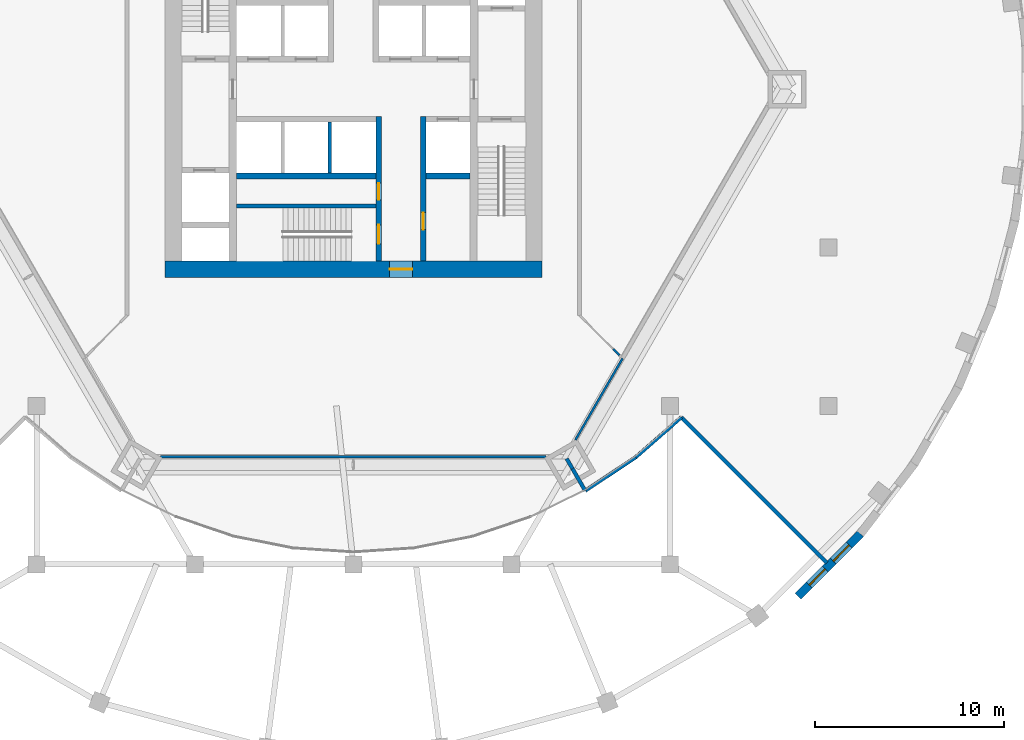
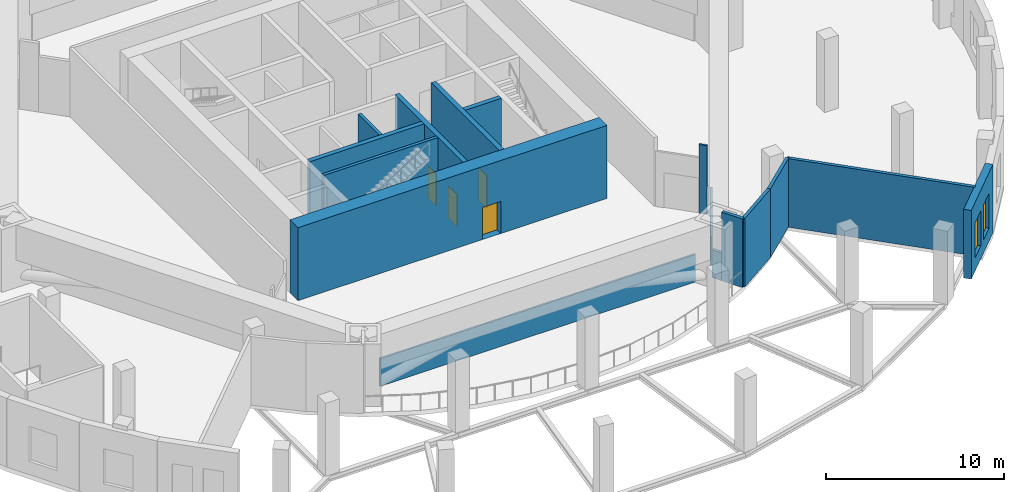
# One storey, part 4 of 10: 16 walls, 4 doors, 2 windows, 6 openings.
"""IFC4 building model written with IfcOpenShell, lengths in metres."""

from ifc_helpers import new_model, si_unit, direction, frame, frame_2d, origin, place, context, subcontext, project, spatial, rectangle, extrude, material, layer, layer_set, type_object, element, fill, save


model = new_model("IFC4")

# Units and contexts
model_context = context("Model", 3, precision=1e-05, world=origin(), true_north=direction((0.0, 1.0)))
body_context = subcontext(model_context, "Body", "Model", "MODEL_VIEW")
ifc_project = project(units=[si_unit("LENGTHUNIT", "METRE"), si_unit("AREAUNIT", "SQUARE_METRE"), si_unit("VOLUMEUNIT", "CUBIC_METRE"), si_unit("PLANEANGLEUNIT", "RADIAN"), si_unit("MASSUNIT", "GRAM", prefix="KILO")], contexts=[model_context])

# Site, building, storey
site_placement = place(None, origin())
site = spatial("IfcSite", under=ifc_project, at=site_placement, CompositionType="ELEMENT")
building_placement = place(site_placement, origin())
building = spatial("IfcBuilding", under=site, at=building_placement, Name="Golbaran Civic Tower", CompositionType="ELEMENT")
storey_placement = place(building_placement, frame((0.0, 0.0, 16.0)))
storey = spatial("IfcBuildingStorey", under=building, at=storey_placement, Name="L03", CompositionType="ELEMENT", Elevation=16.0)

# Wall, opening, door
ifc_material_1 = material(Name="Concrete C50/60", Category="concrete")
ifc_layer_1 = layer(ifc_material_1, 0.89990234375, Name="Concrete C50/60")
ifc_layer_set_1 = layer_set([ifc_layer_1], Name="Concrete C50/60")
wall_type_1 = type_object("IfcWallType", Name="CORE WALL CONCRETE 900", PredefinedType="SOLIDWALL", material=ifc_layer_set_1)
wall_1_placement = place(storey_placement, frame((10.0, -9.550048828125, 0.0), z_axis=(0.0, 0.0, 1.0), x_axis=(-1.0, 0.0, 0.0)))
wall_1 = element("IfcWall", 1, at=wall_1_placement, inside=storey, type_object=wall_type_1, Name="Core wall CS L03", PredefinedType="SOLIDWALL", context=body_context, shape_type="SweptSolid", body=[
    extrude(rectangle(XDim=20.0, YDim=0.89990234375, at=frame_2d((10.0, 0.0))), origin(), (0.0, 0.0, 1.0), 5.0),
])
opening_1_placement = place(wall_1_placement, frame((6.875, 0.0, 0.0)))
opening_1 = element("IfcOpeningElement", 2, at=opening_1_placement, cuts=wall_1, Name="Opening L03.CS", PredefinedType="OPENING", context=body_context, shape_type="SweptSolid", body=[
    extrude(rectangle(XDim=1.199951171875, YDim=2.199951171875, at=frame_2d((0.60009765625, 1.10009765625))), frame((0.0, 0.4599609375, 0.0), z_axis=(0.0, -1.0, 0.0), x_axis=(1.0, 0.0, 0.0)), (0.0, 0.0, 1.0), 0.919921875),
])
ifc_material_2 = material(Name="Timber door set in steel frame", Category="steel")
door_type_1 = type_object("IfcDoorType", Name="CORE DOOR 1200x2200", OperationType="DOUBLE_DOOR_SINGLE_SWING", PredefinedType="DOOR", material=ifc_material_2)
door_1_placement = place(opening_1_placement, origin())
door_1 = element("IfcDoor", 3, at=door_1_placement, inside=storey, type_object=door_type_1, Name="Core door south", OperationType="DOUBLE_DOOR_SINGLE_SWING", OverallHeight=2.199951171875, OverallWidth=1.199951171875, PredefinedType="DOOR", context=body_context, shape_type="SweptSolid", body=[
    extrude(rectangle(XDim=1.199951171875, YDim=2.199951171875, at=frame_2d((0.60009765625, 1.10009765625))), frame((0.0, 0.02490234375, 0.0), z_axis=(0.0, -1.0, 0.0), x_axis=(1.0, 0.0, 0.0)), (0.0, 0.0, 1.0), 0.050048828125),
])
fill(opening_1, door_1)

# Walls
ifc_material_3 = material(Name="Glazed screen on steel framing", Category="steel")
ifc_layer_2 = layer(ifc_material_3, 0.1201171875, Name="Glazed screen on steel framing")
ifc_layer_set_2 = layer_set([ifc_layer_2], Name="Glazed screen on steel framing")
wall_type_2 = type_object("IfcWallType", Name="GLAZED SCREEN PARTITION 120", PredefinedType="PARTITIONING", material=ifc_layer_set_2)
wall_2_placement = place(storey_placement, frame((-10.22509765625, -19.5, 0.0), z_axis=(0.0, 0.0, 1.0), x_axis=(1.0, 0.0, 0.0)))
element("IfcWall", 4, at=wall_2_placement, inside=storey, type_object=wall_type_2, Name="Podium partition L03 under the transfer girder", PredefinedType="PARTITIONING", context=body_context, shape_type="SweptSolid", body=[
    extrude(rectangle(XDim=20.4501953125, YDim=0.1201171875, at=frame_2d((10.22509765625, 0.0))), origin(), (0.0, 0.0, 1.0), 1.889892578125),
])
wall_3_placement = place(storey_placement, frame((11.779052734375, -18.602783203125, 0.0), z_axis=(0.0, 0.0, 1.0), x_axis=(0.500785735381, 0.865571283742, 0.0)))
element("IfcWall", 5, at=wall_3_placement, inside=storey, type_object=wall_type_2, Name="Podium partition L03 under the transfer girder", PredefinedType="PARTITIONING", context=body_context, shape_type="SweptSolid", body=[
    extrude(rectangle(XDim=4.994140625, YDim=0.1201171875, at=frame_2d((2.4970703125, 0.0))), origin(), (0.0, 0.0, 1.0), 1.889892578125),
])
wall_4_placement = place(storey_placement, frame((13.78125, -13.78125, 0.0), z_axis=(0.0, 0.0, 1.0), x_axis=(0.707106781187, -0.707106781187, 0.0)))
element("IfcWall", 6, at=wall_4_placement, inside=storey, type_object=wall_type_2, Name="Podium partition L03 (part 2)", PredefinedType="PARTITIONING", context=body_context, shape_type="SweptSolid", body=[
    extrude(rectangle(XDim=0.479248046875, YDim=0.1201171875, at=frame_2d((0.23974609375, 0.0))), origin(), (0.0, 0.0, 1.0), 4.699951171875),
])
ifc_material_4 = material(Name="Concrete block", Category="concrete")
ifc_layer_3 = layer(ifc_material_4, 0.199951171875, Name="Concrete block")
ifc_layer_set_3 = layer_set([ifc_layer_3], Name="Concrete block")
wall_type_3 = type_object("IfcWallType", Name="LIFT SEPARATOR WALL 200", PredefinedType="SOLIDWALL", material=ifc_layer_set_3)
wall_5_placement = place(storey_placement, frame((-1.25, -1.75, 0.0), z_axis=(0.0, 0.0, 1.0), x_axis=(0.0, -1.0, 0.0)))
element("IfcWall", 7, at=wall_5_placement, inside=storey, type_object=wall_type_3, Name="Core partition SSM L03", PredefinedType="SOLIDWALL", context=body_context, shape_type="SweptSolid", body=[
    extrude(rectangle(XDim=2.699951171875, YDim=0.199951171875, at=frame_2d((1.35009765625, 0.0))), origin(), (0.0, 0.0, 1.0), 4.75),
])
ifc_material_5 = material(Name="Concrete block, plastered", Category="concrete")
ifc_layer_4 = layer(ifc_material_5, 0.199951171875, Name="Concrete block, plastered")
ifc_layer_set_4 = layer_set([ifc_layer_4], Name="Concrete block, plastered")
wall_type_4 = type_object("IfcWallType", Name="PODIUM PARTITION 200", PredefinedType="PARTITIONING", material=ifc_layer_set_4)
wall_6_placement = place(storey_placement, frame((11.622802734375, -20.128173828125, 0.0), z_axis=(0.0, 0.0, 1.0), x_axis=(0.500367750624, -0.865812978729, 0.0)))
element("IfcWall", 8, at=wall_6_placement, inside=storey, type_object=wall_type_4, Name="Podium partition L03", PredefinedType="PARTITIONING", context=body_context, shape_type="SweptSolid", body=[
    extrude(rectangle(XDim=1.353515625, YDim=0.199951171875, at=frame_2d((0.6767578125, 0.0))), origin(), (0.0, 0.0, 1.0), 4.699951171875),
])
wall_7_placement = place(storey_placement, frame((11.316162109375, -19.59716796875, 0.0), z_axis=(0.0, 0.0, 1.0), x_axis=(0.500418219013, -0.865783810244, 0.0)))
element("IfcWall", 9, at=wall_7_placement, inside=storey, type_object=wall_type_4, Name="Podium partition L03 under the beam over", PredefinedType="PARTITIONING", context=body_context, shape_type="SweptSolid", body=[
    extrude(rectangle(XDim=0.607421875, YDim=0.199951171875, at=frame_2d((0.3037109375, 0.0))), origin(), (0.0, 0.0, 1.0), 1.889892578125),
])
for number, where, z_axis, x_axis, name in (
    (10, (12.300048828125, -21.300048828125, 0.0), (0.0, 0.0, 1.0), (0.832994734858, 0.553280915719, 0.0), "Podium partition L03"),
    (11, (14.97998046875, -19.52001953125, 0.0), (0.0, 0.0, 1.0), (0.752162877314, 0.658977242392, 0.0), "Podium partition L03"),
):
    element("IfcWall", number, at=place(storey_placement, frame(where, z_axis=z_axis, x_axis=x_axis)), inside=storey, type_object=wall_type_4, Name=name, PredefinedType="PARTITIONING", context=body_context, shape_type="SweptSolid", body=[
        extrude(rectangle(XDim=3.21728515625, YDim=0.199951171875, at=frame_2d((1.608642578125, 0.0))), origin(), (0.0, 0.0, 1.0), 4.699951171875),
    ])
wall_8_placement = place(storey_placement, frame((17.39990234375, -17.39990234375, 0.0), z_axis=(0.0, 0.0, 1.0), x_axis=(0.707106781187, -0.707106781187, 0.0)))
element("IfcWall", 12, at=wall_8_placement, inside=storey, type_object=wall_type_4, Name="Podium partition L03", PredefinedType="PARTITIONING", context=body_context, shape_type="SweptSolid", body=[
    extrude(rectangle(XDim=10.91796875, YDim=0.199951171875, at=frame_2d((5.458984375, 0.0))), origin(), (0.0, 0.0, 1.0), 4.699951171875),
])
ifc_layer_5 = layer(ifc_material_1, 0.199951171875, Name="Concrete C50/60")
ifc_layer_set_5 = layer_set([ifc_layer_5], Name="Concrete C50/60")
wall_type_5 = type_object("IfcWallType", Name="SHAFT WALL CONCRETE 200", PredefinedType="SOLIDWALL", material=ifc_layer_set_5)
wall_9_placement = place(storey_placement, frame((-6.199951171875, -6.199951171875, 0.0), z_axis=(0.0, 0.0, 1.0), x_axis=(1.0, 0.0, 0.0)))
element("IfcWall", 13, at=wall_9_placement, inside=storey, type_object=wall_type_5, Name="Core wall S3N L03", PredefinedType="SOLIDWALL", context=body_context, shape_type="SweptSolid", body=[
    extrude(rectangle(XDim=7.39990234375, YDim=0.199951171875, at=frame_2d((3.699951171875, 0.0))), origin(), (0.0, 0.0, 1.0), 5.0),
])
ifc_layer_6 = layer(ifc_material_1, 0.300048828125, Name="Concrete C50/60")
ifc_layer_set_6 = layer_set([ifc_layer_6], Name="Concrete C50/60")
wall_type_6 = type_object("IfcWallType", Name="SHAFT WALL CONCRETE 300", PredefinedType="SOLIDWALL", material=ifc_layer_set_6)
wall_10_placement = place(storey_placement, frame((-6.199951171875, -4.60009765625, 0.0), z_axis=(0.0, 0.0, 1.0), x_axis=(1.0, 0.0, 0.0)))
element("IfcWall", 14, at=wall_10_placement, inside=storey, type_object=wall_type_6, Name="Core wall BSW L03", PredefinedType="SOLIDWALL", context=body_context, shape_type="SweptSolid", body=[
    extrude(rectangle(XDim=7.39990234375, YDim=0.300048828125, at=frame_2d((3.699951171875, 0.0))), origin(), (0.0, 0.0, 1.0), 5.0),
])
wall_11_placement = place(storey_placement, frame((3.85009765625, -4.60009765625, 0.0), z_axis=(0.0, 0.0, 1.0), x_axis=(1.0, 0.0, 0.0)))
element("IfcWall", 15, at=wall_11_placement, inside=storey, type_object=wall_type_6, Name="Core wall BSE L03", PredefinedType="SOLIDWALL", context=body_context, shape_type="SweptSolid", body=[
    extrude(rectangle(XDim=2.349853515625, YDim=0.300048828125, at=frame_2d((1.1748046875, 0.0))), origin(), (0.0, 0.0, 1.0), 5.0),
])

# Wall, openings, doors
wall_12_placement = place(storey_placement, frame((1.35009765625, -1.449951171875, 0.0), z_axis=(0.0, 0.0, 1.0), x_axis=(0.0, -1.0, 0.0)))
wall_12 = element("IfcWall", 16, at=wall_12_placement, inside=storey, type_object=wall_type_6, Name="Core wall PSW L03", PredefinedType="SOLIDWALL", context=body_context, shape_type="SweptSolid", body=[
    extrude(rectangle(XDim=7.650146484375, YDim=0.300048828125, at=frame_2d((3.8251953125, 0.0))), origin(), (0.0, 0.0, 1.0), 5.0),
])
opening_2_placement = place(wall_12_placement, frame((5.75, 0.0, 0.0)))
opening_2 = element("IfcOpeningElement", 17, at=opening_2_placement, cuts=wall_12, Name="Opening L03.S3", PredefinedType="OPENING", context=body_context, shape_type="SweptSolid", body=[
    extrude(rectangle(XDim=1.0, YDim=2.199951171875, at=frame_2d((0.5, 1.10009765625))), frame((0.0, 0.159912109375, 0.0), z_axis=(0.0, -1.0, 0.0), x_axis=(1.0, 0.0, 0.0)), (0.0, 0.0, 1.0), 0.320068359375),
])
opening_3_placement = place(wall_12_placement, frame((3.52490234375, 0.0, 0.0)))
opening_3 = element("IfcOpeningElement", 18, at=opening_3_placement, cuts=wall_12, Name="Opening L03.RE", PredefinedType="OPENING", context=body_context, shape_type="SweptSolid", body=[
    extrude(rectangle(XDim=0.89990234375, YDim=2.199951171875, at=frame_2d((0.449951171875, 1.10009765625))), frame((0.0, 0.159912109375, 0.0), z_axis=(0.0, -1.0, 0.0), x_axis=(1.0, 0.0, 0.0)), (0.0, 0.0, 1.0), 0.320068359375),
])
door_type_2 = type_object("IfcDoorType", Name="RISER DOOR 900x2200", OperationType="SINGLE_SWING_LEFT", PredefinedType="DOOR", material=ifc_material_2)
door_2_placement = place(opening_3_placement, origin())
door_2 = element("IfcDoor", 19, at=door_2_placement, inside=storey, type_object=door_type_2, Name="Electrical riser door", OperationType="SINGLE_SWING_RIGHT", OverallHeight=2.199951171875, OverallWidth=0.89990234375, PredefinedType="DOOR", context=body_context, shape_type="SweptSolid", body=[
    extrude(rectangle(XDim=0.89990234375, YDim=2.199951171875, at=frame_2d((0.449951171875, 1.10009765625))), frame((0.0, 0.02490234375, 0.0), z_axis=(0.0, -1.0, 0.0), x_axis=(1.0, 0.0, 0.0)), (0.0, 0.0, 1.0), 0.050048828125),
])
fill(opening_3, door_2)
door_type_3 = type_object("IfcDoorType", Name="STAIR DOOR 1000x2200", OperationType="SINGLE_SWING_LEFT", PredefinedType="DOOR", material=ifc_material_2)
door_3_placement = place(opening_2_placement, origin())
door_3 = element("IfcDoor", 20, at=door_3_placement, inside=storey, type_object=door_type_3, Name="Stair S3 door", OperationType="SINGLE_SWING_RIGHT", OverallHeight=2.199951171875, OverallWidth=1.0, PredefinedType="DOOR", context=body_context, shape_type="SweptSolid", body=[
    extrude(rectangle(XDim=1.0, YDim=2.199951171875, at=frame_2d((0.5, 1.10009765625))), frame((0.0, 0.02490234375, 0.0), z_axis=(0.0, -1.0, 0.0), x_axis=(1.0, 0.0, 0.0)), (0.0, 0.0, 1.0), 0.050048828125),
])
fill(opening_2, door_3)

# Wall, opening, door
wall_13_placement = place(storey_placement, frame((3.699951171875, -1.449951171875, 0.0), z_axis=(0.0, 0.0, 1.0), x_axis=(0.0, -1.0, 0.0)))
wall_13 = element("IfcWall", 21, at=wall_13_placement, inside=storey, type_object=wall_type_6, Name="Core wall PSE L03", PredefinedType="SOLIDWALL", context=body_context, shape_type="SweptSolid", body=[
    extrude(rectangle(XDim=7.650146484375, YDim=0.300048828125, at=frame_2d((3.8251953125, 0.0))), origin(), (0.0, 0.0, 1.0), 5.0),
])
opening_4_placement = place(wall_13_placement, frame((5.10009765625, 0.0, 0.0)))
opening_4 = element("IfcOpeningElement", 22, at=opening_4_placement, cuts=wall_13, Name="Opening L03.RM", PredefinedType="OPENING", context=body_context, shape_type="SweptSolid", body=[
    extrude(rectangle(XDim=0.89990234375, YDim=2.199951171875, at=frame_2d((0.449951171875, 1.10009765625))), frame((0.0, 0.159912109375, 0.0), z_axis=(0.0, -1.0, 0.0), x_axis=(1.0, 0.0, 0.0)), (0.0, 0.0, 1.0), 0.320068359375),
])
door_4_placement = place(opening_4_placement, origin())
door_4 = element("IfcDoor", 23, at=door_4_placement, inside=storey, type_object=door_type_2, Name="Mechanical riser door", OperationType="SINGLE_SWING_RIGHT", OverallHeight=2.199951171875, OverallWidth=0.89990234375, PredefinedType="DOOR", context=body_context, shape_type="SweptSolid", body=[
    extrude(rectangle(XDim=0.89990234375, YDim=2.199951171875, at=frame_2d((0.449951171875, 1.10009765625))), frame((0.0, 0.02490234375, 0.0), z_axis=(0.0, -1.0, 0.0), x_axis=(1.0, 0.0, 0.0)), (0.0, 0.0, 1.0), 0.050048828125),
])
fill(opening_4, door_4)

# Wall, openings, windows
ifc_material_6 = material(Name="Terracotta brick", Category="masonry")
ifc_layer_7 = layer(ifc_material_6, 0.449951171875, Name="Terracotta brick")
ifc_layer_set_7 = layer_set([ifc_layer_7], Name="Terracotta brick")
wall_type_7 = type_object("IfcWallType", Name="TERRACOTTA BRICK FACADE WALL 450", PredefinedType="SOLIDWALL", material=ifc_layer_set_7)
wall_14_placement = place(storey_placement, frame((23.588134765625, -26.89697265625, 0.0), z_axis=(0.0, 0.0, 1.0), x_axis=(0.707106781187, 0.707106781187, 0.0)))
wall_14 = element("IfcWall", 24, at=wall_14_placement, inside=storey, type_object=wall_type_7, Name="Podium wall L03 facet 42", PredefinedType="SOLIDWALL", context=body_context, shape_type="SweptSolid", body=[
    extrude(rectangle(XDim=4.679443359375, YDim=0.449951171875, at=frame_2d((2.33984375, 0.0))), origin(), (0.0, 0.0, 1.0), 4.699951171875),
])
opening_5_placement = place(wall_14_placement, frame((0.840087890625, 0.0, 0.89990234375)))
opening_5 = element("IfcOpeningElement", 25, at=opening_5_placement, cuts=wall_14, Name="Opening L03.W34", PredefinedType="OPENING", context=body_context, shape_type="SweptSolid", body=[
    extrude(rectangle(XDim=1.199951171875, YDim=2.39990234375, at=frame_2d((0.60009765625, 1.199951171875))), frame((0.0, 0.23486328125, 0.0), z_axis=(0.0, -1.0, 0.0), x_axis=(1.0, 0.0, 0.0)), (0.0, 0.0, 1.0), 0.469970703125),
])
opening_6_placement = place(wall_14_placement, frame((2.639892578125, 0.0, 0.89990234375)))
opening_6 = element("IfcOpeningElement", 26, at=opening_6_placement, cuts=wall_14, Name="Opening L03.W35", PredefinedType="OPENING", context=body_context, shape_type="SweptSolid", body=[
    extrude(rectangle(XDim=1.199951171875, YDim=2.39990234375, at=frame_2d((0.60009765625, 1.199951171875))), frame((0.0, 0.23486328125, 0.0), z_axis=(0.0, -1.0, 0.0), x_axis=(1.0, 0.0, 0.0)), (0.0, 0.0, 1.0), 0.469970703125),
])
ifc_material_7 = material(Name="Aluminium frame, clear glass", Category="aluminium")
window_type = type_object("IfcWindowType", Name="PODIUM PAIRED WINDOW 1200x2400", PartitioningType="SINGLE_PANEL", PredefinedType="WINDOW", material=ifc_material_7)
window_1_placement = place(opening_5_placement, origin())
window_1 = element("IfcWindow", 27, at=window_1_placement, inside=storey, type_object=window_type, Name="Podium window L03 facet 42a", OverallHeight=2.39990234375, OverallWidth=1.199951171875, PartitioningType="SINGLE_PANEL", PredefinedType="WINDOW", context=body_context, shape_type="SweptSolid", body=[
    extrude(rectangle(XDim=1.199951171875, YDim=2.39990234375, at=frame_2d((0.60009765625, 1.199951171875))), frame((0.0, 0.030029296875, 0.0), z_axis=(0.0, -1.0, 0.0), x_axis=(1.0, 0.0, 0.0)), (0.0, 0.0, 1.0), 0.06005859375),
])
fill(opening_5, window_1)
window_2_placement = place(opening_6_placement, origin())
window_2 = element("IfcWindow", 28, at=window_2_placement, inside=storey, type_object=window_type, Name="Podium window L03 facet 42b", OverallHeight=2.39990234375, OverallWidth=1.199951171875, PartitioningType="SINGLE_PANEL", PredefinedType="WINDOW", context=body_context, shape_type="SweptSolid", body=[
    extrude(rectangle(XDim=1.199951171875, YDim=2.39990234375, at=frame_2d((0.60009765625, 1.199951171875))), frame((0.0, 0.030029296875, 0.0), z_axis=(0.0, -1.0, 0.0), x_axis=(1.0, 0.0, 0.0)), (0.0, 0.0, 1.0), 0.06005859375),
])
fill(opening_6, window_2)

save(model, "model.ifc")
